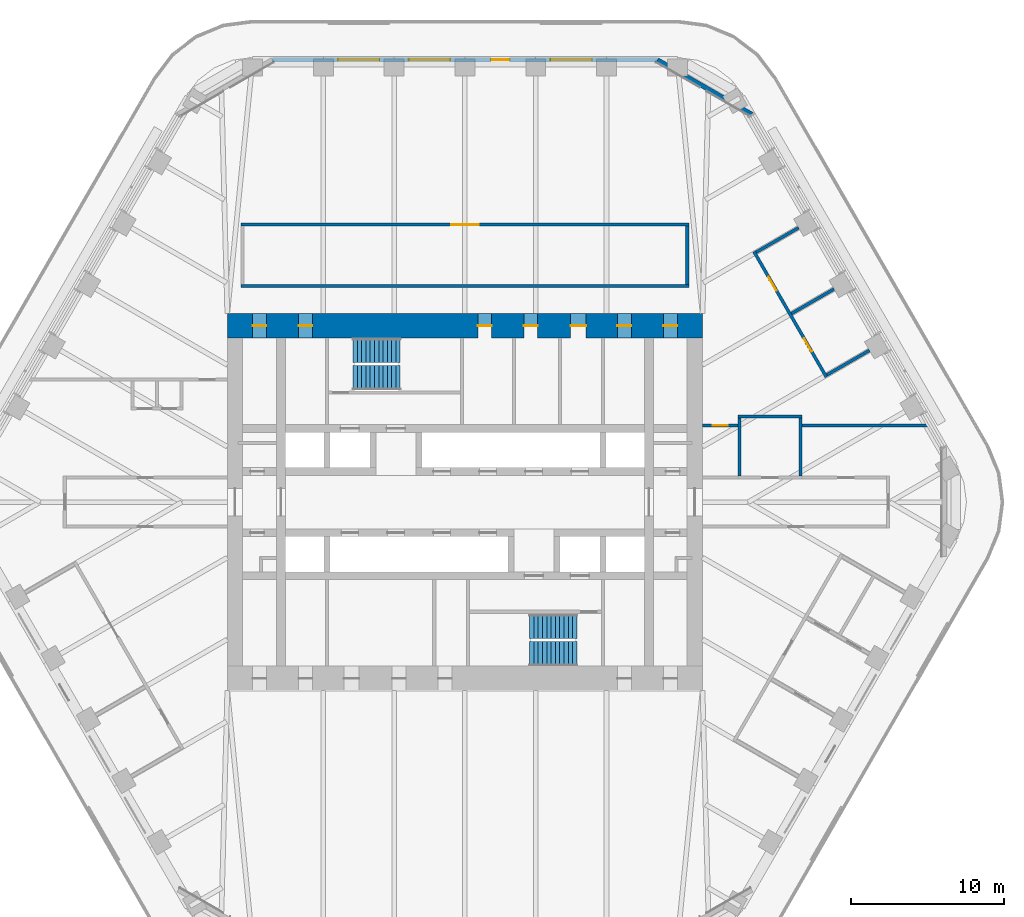
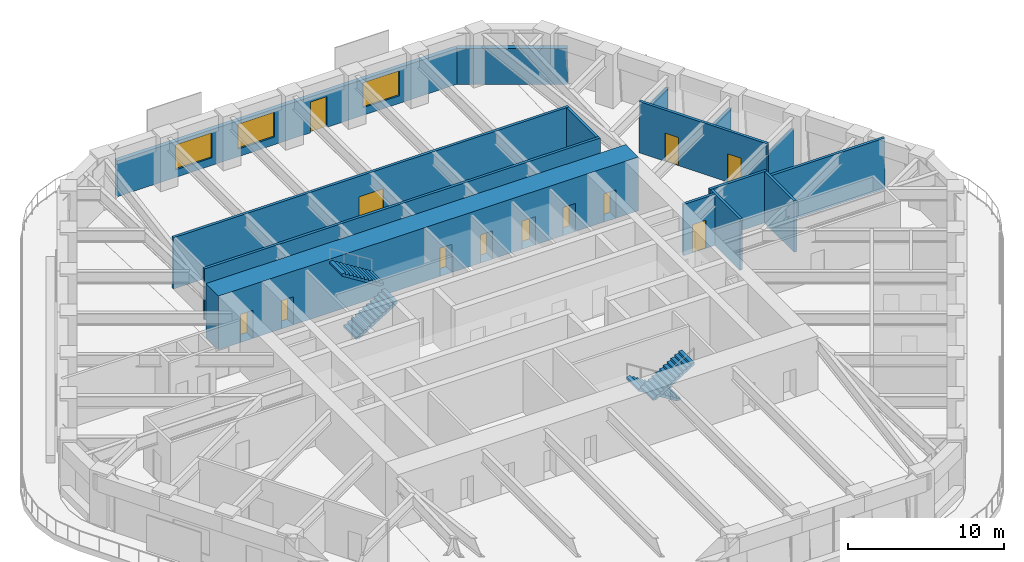
# One storey, part 17 of 20: 15 walls, 12 doors, 4 stair flights, 3 windows, 15 openings, 2 elements without a shape of their own.
"""IFC4 building model written with IfcOpenShell, lengths in metres."""

from ifc_helpers import new_model, si_unit, direction, frame, frame_2d, origin, place, context, subcontext, project, spatial, polyline, rectangle, outline, extrude, material, layer, layer_set, type_object, element, fill, aggregate, save


model = new_model("IFC4")

# Units and contexts
model_context = context("Model", 3, precision=1e-05, world=origin(), true_north=direction((0.0, 1.0)))
body_context = subcontext(model_context, "Body", "Model", "MODEL_VIEW")
ifc_project = project(units=[si_unit("LENGTHUNIT", "METRE"), si_unit("AREAUNIT", "SQUARE_METRE"), si_unit("VOLUMEUNIT", "CUBIC_METRE"), si_unit("PLANEANGLEUNIT", "RADIAN"), si_unit("MASSUNIT", "GRAM", prefix="KILO")], contexts=[model_context])

# Site, building, storey
site_placement = place(None, origin())
site = spatial("IfcSite", under=ifc_project, at=site_placement, CompositionType="ELEMENT")
building_placement = place(site_placement, origin())
building = spatial("IfcBuilding", under=site, at=building_placement, Name="Tarfa Lantern Tower", CompositionType="ELEMENT")
storey_placement = place(building_placement, frame((0.0, 0.0, 249.10009765625)))
storey = spatial("IfcBuildingStorey", under=building, at=storey_placement, Name="L56", CompositionType="ELEMENT", Elevation=249.10009765625)

# Wall
ifc_material_1 = material(Name="Limestone cladding on blockwork", Category="masonry")
ifc_layer_1 = layer(ifc_material_1, 0.300048828125)
ifc_layer_set_1 = layer_set([ifc_layer_1], Name="EW1 STONE-CLAD WALL 300")
wall_type_1 = type_object("IfcWallType", Name="EW1 STONE-CLAD WALL 300", PredefinedType="SOLIDWALL", material=ifc_layer_set_1)
wall_1_placement = place(storey_placement, frame((18.70654296875, 25.299072265625, 0.0), z_axis=(0.0, 0.0, 1.0), x_axis=(-0.866010973379, 0.500024993363, 0.0)))
element("IfcWall", 1, at=wall_1_placement, inside=storey, type_object=wall_type_1, Name="Garden wall NE-N", PredefinedType="SOLIDWALL", context=body_context, shape_type="SweptSolid", body=[
    extrude(rectangle(XDim=7.101806640625, YDim=0.300048828125, at=frame_2d((3.55078125, 0.0))), origin(), (0.0, 0.0, 1.0), 2.7998046875),
])

# Wall, openings, door, windows
wall_2_placement = place(storey_placement, frame((12.556396484375, 28.85009765625, 0.0), z_axis=(0.0, 0.0, 1.0), x_axis=(-1.0, 0.0, 0.0)))
wall_2 = element("IfcWall", 2, at=wall_2_placement, inside=storey, type_object=wall_type_1, Name="Stone wall N", PredefinedType="SOLIDWALL", context=body_context, shape_type="SweptSolid", body=[
    extrude(rectangle(XDim=25.11279296875, YDim=0.300048828125, at=frame_2d((12.556396484375, 0.0))), origin(), (0.0, 0.0, 1.0), 2.7998046875),
])
opening_1_placement = place(wall_2_placement, frame((4.2783203125, 0.0, 0.60009765625)))
opening_1 = element("IfcOpeningElement", 3, at=opening_1_placement, cuts=wall_2, Name="Opening W14", PredefinedType="OPENING", context=body_context, shape_type="SweptSolid", body=[
    extrude(rectangle(XDim=2.699951171875, YDim=1.949951171875, at=frame_2d((1.35009765625, 0.97509765625))), frame((0.0, 0.159912109375, 0.0), z_axis=(0.0, -1.0, 0.0), x_axis=(1.0, 0.0, 0.0)), (0.0, 0.0, 1.0), 0.320068359375),
])
opening_2_placement = place(wall_2_placement, frame((9.64697265625, 0.0, 0.0)))
opening_2 = element("IfcOpeningElement", 4, at=opening_2_placement, cuts=wall_2, Name="Opening D47", PredefinedType="OPENING", context=body_context, shape_type="SweptSolid", body=[
    extrude(rectangle(XDim=1.199951171875, YDim=2.39990234375, at=frame_2d((0.60009765625, 1.199951171875))), frame((0.0, 0.159912109375, 0.0), z_axis=(0.0, -1.0, 0.0), x_axis=(1.0, 0.0, 0.0)), (0.0, 0.0, 1.0), 0.320068359375),
])
opening_3_placement = place(wall_2_placement, frame((13.515869140625, 0.0, 0.60009765625)))
opening_3 = element("IfcOpeningElement", 5, at=opening_3_placement, cuts=wall_2, Name="Opening W14", PredefinedType="OPENING", context=body_context, shape_type="SweptSolid", body=[
    extrude(rectangle(XDim=2.699951171875, YDim=1.949951171875, at=frame_2d((1.35009765625, 0.97509765625))), frame((0.0, 0.159912109375, 0.0), z_axis=(0.0, -1.0, 0.0), x_axis=(1.0, 0.0, 0.0)), (0.0, 0.0, 1.0), 0.320068359375),
])
opening_4_placement = place(wall_2_placement, frame((18.134521484375, 0.0, 0.60009765625)))
opening_4 = element("IfcOpeningElement", 6, at=opening_4_placement, cuts=wall_2, Name="Opening W14", PredefinedType="OPENING", context=body_context, shape_type="SweptSolid", body=[
    extrude(rectangle(XDim=2.699951171875, YDim=1.949951171875, at=frame_2d((1.35009765625, 0.97509765625))), frame((0.0, 0.159912109375, 0.0), z_axis=(0.0, -1.0, 0.0), x_axis=(1.0, 0.0, 0.0)), (0.0, 0.0, 1.0), 0.320068359375),
])
ifc_material_2 = material(Name="Aluminium framed glazed door", Category="aluminium")
door_type_1 = type_object("IfcDoorType", Name="BE3 BALCONY DOOR 1200x2400", OperationType="SINGLE_SWING_RIGHT", PredefinedType="DOOR", material=ifc_material_2)
door_1_placement = place(opening_2_placement, origin())
door_1 = element("IfcDoor", 7, at=door_1_placement, inside=storey, type_object=door_type_1, Name="Balcony door N", OperationType="SINGLE_SWING_RIGHT", OverallHeight=2.39990234375, OverallWidth=1.199951171875, PredefinedType="DOOR", context=body_context, shape_type="SweptSolid", body=[
    extrude(rectangle(XDim=1.199951171875, YDim=2.39990234375, at=frame_2d((0.60009765625, 1.199951171875))), frame((0.0, 0.02490234375, 0.0), z_axis=(0.0, -1.0, 0.0), x_axis=(1.0, 0.0, 0.0)), (0.0, 0.0, 1.0), 0.050048828125),
])
fill(opening_2, door_1)
ifc_material_3 = material(Name="Aluminium frame, double glazed", Category="aluminium")
window_type = type_object("IfcWindowType", Name="W14 FULL-HEIGHT GLAZING 2700x1950", PartitioningType="SINGLE_PANEL", PredefinedType="WINDOW", material=ifc_material_3)
window_1_placement = place(opening_1_placement, origin())
window_1 = element("IfcWindow", 8, at=window_1_placement, inside=storey, type_object=window_type, Name="Window N 2", OverallHeight=1.949951171875, OverallWidth=2.699951171875, PartitioningType="SINGLE_PANEL", PredefinedType="WINDOW", context=body_context, shape_type="SweptSolid", body=[
    extrude(rectangle(XDim=2.699951171875, YDim=1.949951171875, at=frame_2d((1.35009765625, 0.97509765625))), frame((0.0, 0.030029296875, 0.0), z_axis=(0.0, -1.0, 0.0), x_axis=(1.0, 0.0, 0.0)), (0.0, 0.0, 1.0), 0.06005859375),
])
fill(opening_1, window_1)
window_2_placement = place(opening_3_placement, origin())
window_2 = element("IfcWindow", 9, at=window_2_placement, inside=storey, type_object=window_type, Name="Window N 4", OverallHeight=1.949951171875, OverallWidth=2.699951171875, PartitioningType="SINGLE_PANEL", PredefinedType="WINDOW", context=body_context, shape_type="SweptSolid", body=[
    extrude(rectangle(XDim=2.699951171875, YDim=1.949951171875, at=frame_2d((1.35009765625, 0.97509765625))), frame((0.0, 0.030029296875, 0.0), z_axis=(0.0, -1.0, 0.0), x_axis=(1.0, 0.0, 0.0)), (0.0, 0.0, 1.0), 0.06005859375),
])
fill(opening_3, window_2)
window_3_placement = place(opening_4_placement, origin())
window_3 = element("IfcWindow", 10, at=window_3_placement, inside=storey, type_object=window_type, Name="Window N 5", OverallHeight=1.949951171875, OverallWidth=2.699951171875, PartitioningType="SINGLE_PANEL", PredefinedType="WINDOW", context=body_context, shape_type="SweptSolid", body=[
    extrude(rectangle(XDim=2.699951171875, YDim=1.949951171875, at=frame_2d((1.35009765625, 0.97509765625))), frame((0.0, 0.030029296875, 0.0), z_axis=(0.0, -1.0, 0.0), x_axis=(1.0, 0.0, 0.0)), (0.0, 0.0, 1.0), 0.06005859375),
])
fill(opening_4, window_3)

# Wall
ifc_material_4 = material(Name="Gypsum board on steel studs", Category="steel")
ifc_layer_2 = layer(ifc_material_4, 0.2099609375)
ifc_layer_set_2 = layer_set([ifc_layer_2], Name="IW2 ACOUSTIC PARTITION 200")
wall_type_2 = type_object("IfcWallType", Name="IW2 ACOUSTIC PARTITION 200", PredefinedType="PARTITIONING", material=ifc_layer_set_2)
wall_3_placement = place(storey_placement, frame((-14.60009765625, 14.10009765625, 0.0), z_axis=(0.0, 0.0, 1.0), x_axis=(1.0, 0.0, 0.0)))
element("IfcWall", 11, at=wall_3_placement, inside=storey, type_object=wall_type_2, Name="Partition", PredefinedType="PARTITIONING", context=body_context, shape_type="SweptSolid", body=[
    extrude(rectangle(XDim=29.2001953125, YDim=0.199951171875, at=frame_2d((14.60009765625, 0.0))), origin(), (0.0, 0.0, 1.0), 4.0),
])

# Wall, opening, door
wall_4_placement = place(storey_placement, frame((-14.60009765625, 18.10009765625, 0.0), z_axis=(0.0, 0.0, 1.0), x_axis=(1.0, 0.0, 0.0)))
wall_4 = element("IfcWall", 12, at=wall_4_placement, inside=storey, type_object=wall_type_2, Name="Partition", PredefinedType="PARTITIONING", context=body_context, shape_type="SweptSolid", body=[
    extrude(rectangle(XDim=29.2001953125, YDim=0.199951171875, at=frame_2d((14.60009765625, 0.0))), origin(), (0.0, 0.0, 1.0), 4.0),
])
opening_5_placement = place(wall_4_placement, frame((13.699951171875, 0.0, 0.0)))
opening_5 = element("IfcOpeningElement", 13, at=opening_5_placement, cuts=wall_4, Name="Opening D36", PredefinedType="OPENING", context=body_context, shape_type="SweptSolid", body=[
    extrude(rectangle(XDim=1.800048828125, YDim=2.39990234375, at=frame_2d((0.89990234375, 1.199951171875))), frame((0.0, 0.10986328125, 0.0), z_axis=(0.0, -1.0, 0.0), x_axis=(1.0, 0.0, 0.0)), (0.0, 0.0, 1.0), 0.219970703125),
])
ifc_material_5 = material(Name="Timber door", Category="wood")
door_type_2 = type_object("IfcDoorType", Name="DR2 ROOM DOOR 1800x2400", OperationType="DOUBLE_DOOR_SINGLE_SWING", PredefinedType="DOOR", material=ifc_material_5)
door_2_placement = place(opening_5_placement, frame((1.800048828125, 0.0, 0.0), z_axis=(0.0, 0.0, 1.0), x_axis=(-1.0, 0.0, 0.0)))
door_2 = element("IfcDoor", 14, at=door_2_placement, inside=storey, type_object=door_type_2, Name="Board papers room door", OperationType="DOUBLE_DOOR_SINGLE_SWING", OverallHeight=2.39990234375, OverallWidth=1.800048828125, PredefinedType="DOOR", context=body_context, shape_type="SweptSolid", body=[
    extrude(rectangle(XDim=1.800048828125, YDim=2.39990234375, at=frame_2d((0.89990234375, 1.199951171875))), frame((0.0, 0.02490234375, 0.0), z_axis=(0.0, -1.0, 0.0), x_axis=(1.0, 0.0, 0.0)), (0.0, 0.0, 1.0), 0.050048828125),
])
fill(opening_5, door_2)

# Wall
wall_5_placement = place(storey_placement, frame((14.5, 14.199951171875, 0.0), z_axis=(0.0, 0.0, 1.0), x_axis=(0.0, 1.0, 0.0)))
element("IfcWall", 15, at=wall_5_placement, inside=storey, type_object=wall_type_2, Name="Partition", PredefinedType="PARTITIONING", context=body_context, shape_type="SweptSolid", body=[
    extrude(rectangle(XDim=3.800048828125, YDim=0.199951171875, at=frame_2d((1.89990234375, 0.0))), origin(), (0.0, 0.0, 1.0), 4.0),
])

# Wall, openings, doors
wall_6_placement = place(storey_placement, frame((23.576904296875, 8.163330078125, 0.0), z_axis=(0.0, 0.0, 1.0), x_axis=(-0.499989672313, 0.866031366395, 0.0)))
wall_6 = element("IfcWall", 16, at=wall_6_placement, inside=storey, type_object=wall_type_2, Name="Partition", PredefinedType="PARTITIONING", context=body_context, shape_type="SweptSolid", body=[
    extrude(rectangle(XDim=9.437744140625, YDim=0.199951171875, at=frame_2d((4.71875, 0.0))), origin(), (0.0, 0.0, 1.0), 4.0),
])
opening_6_placement = place(wall_6_placement, frame((1.909423828125, 0.0, 0.0)))
opening_6 = element("IfcOpeningElement", 17, at=opening_6_placement, cuts=wall_6, Name="Opening D28", PredefinedType="OPENING", context=body_context, shape_type="SweptSolid", body=[
    extrude(rectangle(XDim=1.0, YDim=2.199951171875, at=frame_2d((0.5, 1.10009765625))), frame((0.0, 0.10986328125, 0.0), z_axis=(0.0, -1.0, 0.0), x_axis=(1.0, 0.0, 0.0)), (0.0, 0.0, 1.0), 0.219970703125),
])
opening_7_placement = place(wall_6_placement, frame((6.5283203125, 0.0, 0.0)))
opening_7 = element("IfcOpeningElement", 18, at=opening_7_placement, cuts=wall_6, Name="Opening D29", PredefinedType="OPENING", context=body_context, shape_type="SweptSolid", body=[
    extrude(rectangle(XDim=1.0, YDim=2.199951171875, at=frame_2d((0.5, 1.10009765625))), frame((0.0, 0.10986328125, 0.0), z_axis=(0.0, -1.0, 0.0), x_axis=(1.0, 0.0, 0.0)), (0.0, 0.0, 1.0), 0.219970703125),
])
door_type_3 = type_object("IfcDoorType", Name="DR1 ROOM DOOR 1000x2200", OperationType="SINGLE_SWING_LEFT", PredefinedType="DOOR", material=ifc_material_5)
door_3_placement = place(opening_6_placement, frame((1.0, 0.0, 0.0), z_axis=(0.0, 0.0, 1.0), x_axis=(-1.0, 0.0, 0.0)))
door_3 = element("IfcDoor", 19, at=door_3_placement, inside=storey, type_object=door_type_3, Name="Office door", OperationType="SINGLE_SWING_LEFT", OverallHeight=2.199951171875, OverallWidth=1.0, PredefinedType="DOOR", context=body_context, shape_type="SweptSolid", body=[
    extrude(rectangle(XDim=1.0, YDim=2.199951171875, at=frame_2d((0.5, 1.10009765625))), frame((0.0, 0.02490234375, 0.0), z_axis=(0.0, -1.0, 0.0), x_axis=(1.0, 0.0, 0.0)), (0.0, 0.0, 1.0), 0.050048828125),
])
fill(opening_6, door_3)
door_4_placement = place(opening_7_placement, frame((1.0, 0.0, 0.0), z_axis=(0.0, 0.0, 1.0), x_axis=(-1.0, 0.0, 0.0)))
door_4 = element("IfcDoor", 20, at=door_4_placement, inside=storey, type_object=door_type_3, Name="Office door", OperationType="SINGLE_SWING_RIGHT", OverallHeight=2.199951171875, OverallWidth=1.0, PredefinedType="DOOR", context=body_context, shape_type="SweptSolid", body=[
    extrude(rectangle(XDim=1.0, YDim=2.199951171875, at=frame_2d((0.5, 1.10009765625))), frame((0.0, 0.02490234375, 0.0), z_axis=(0.0, -1.0, 0.0), x_axis=(1.0, 0.0, 0.0)), (0.0, 0.0, 1.0), 0.050048828125),
])
fill(opening_7, door_4)

# Walls
wall_7_placement = place(storey_placement, frame((23.613525390625, 8.300048828125, 0.0), z_axis=(0.0, 0.0, 1.0), x_axis=(0.866061088033, 0.499938187974, 0.0)))
element("IfcWall", 21, at=wall_7_placement, inside=storey, type_object=wall_type_2, Name="Partition", PredefinedType="PARTITIONING", context=body_context, shape_type="SweptSolid", body=[
    extrude(rectangle(XDim=3.2001953125, YDim=0.199951171875, at=frame_2d((1.60009765625, 0.0))), origin(), (0.0, 0.0, 1.0), 3.08154296875),
])
for number, where, z_axis, x_axis, name in (
    (22, (21.30419921875, 12.300048828125, 0.0), (0.0, 0.0, 1.0), (0.866042017984, 0.499971222258, 0.0), "Partition"),
    (23, (18.994873046875, 16.300048828125, 0.0), (0.0, 0.0, 1.0), (0.866042017984, 0.499971222258, 0.0), "Partition"),
):
    element("IfcWall", number, at=place(storey_placement, frame(where, z_axis=z_axis, x_axis=x_axis)), inside=storey, type_object=wall_type_2, Name=name, PredefinedType="PARTITIONING", context=body_context, shape_type="SweptSolid", body=[
        extrude(rectangle(XDim=3.199951171875, YDim=0.199951171875, at=frame_2d((1.60009765625, 0.0))), origin(), (0.0, 0.0, 1.0), 3.08154296875),
    ])
wall_8_placement = place(storey_placement, frame((17.800048828125, 5.60009765625, 0.0), z_axis=(0.0, 0.0, 1.0), x_axis=(1.0, 0.0, 0.0)))
element("IfcWall", 24, at=wall_8_placement, inside=storey, type_object=wall_type_2, Name="Partition", PredefinedType="PARTITIONING", context=body_context, shape_type="SweptSolid", body=[
    extrude(rectangle(XDim=4.199951171875, YDim=0.199951171875, at=frame_2d((2.10009765625, 0.0))), origin(), (0.0, 0.0, 1.0), 4.0),
])
for number, where, z_axis, x_axis, name in (
    (25, (17.89990234375, 1.699951171875, 0.0), (0.0, 0.0, 1.0), (0.0, 1.0, 0.0), "Partition"),
    (26, (21.89990234375, 1.699951171875, 0.0), (0.0, 0.0, 1.0), (0.0, 1.0, 0.0), "Partition"),
):
    element("IfcWall", number, at=place(storey_placement, frame(where, z_axis=z_axis, x_axis=x_axis)), inside=storey, type_object=wall_type_2, Name=name, PredefinedType="PARTITIONING", context=body_context, shape_type="SweptSolid", body=[
        extrude(rectangle(XDim=3.800048828125, YDim=0.199951171875, at=frame_2d((1.89990234375, 0.0))), origin(), (0.0, 0.0, 1.0), 4.0),
    ])

# Wall, opening, door
wall_9_placement = place(storey_placement, frame((15.5, 5.0, 0.0), z_axis=(0.0, 0.0, 1.0), x_axis=(1.0, 0.0, 0.0)))
wall_9 = element("IfcWall", 27, at=wall_9_placement, inside=storey, type_object=wall_type_2, Name="Partition", PredefinedType="PARTITIONING", context=body_context, shape_type="SweptSolid", body=[
    extrude(rectangle(XDim=2.300048828125, YDim=0.199951171875, at=frame_2d((1.14990234375, 0.0))), origin(), (0.0, 0.0, 1.0), 4.0),
])
opening_8_placement = place(wall_9_placement, frame((0.64990234375, 0.0, 0.0)))
opening_8 = element("IfcOpeningElement", 28, at=opening_8_placement, cuts=wall_9, Name="Opening D45", PredefinedType="OPENING", context=body_context, shape_type="SweptSolid", body=[
    extrude(rectangle(XDim=1.0, YDim=2.199951171875, at=frame_2d((0.5, 1.10009765625))), frame((0.0, 0.10986328125, 0.0), z_axis=(0.0, -1.0, 0.0), x_axis=(1.0, 0.0, 0.0)), (0.0, 0.0, 1.0), 0.219970703125),
])
door_5_placement = place(opening_8_placement, frame((1.0, 0.0, 0.0), z_axis=(0.0, 0.0, 1.0), x_axis=(-1.0, 0.0, 0.0)))
door_5 = element("IfcDoor", 29, at=door_5_placement, inside=storey, type_object=door_type_3, Name="Zone door", OperationType="SINGLE_SWING_RIGHT", OverallHeight=2.199951171875, OverallWidth=1.0, PredefinedType="DOOR", context=body_context, shape_type="SweptSolid", body=[
    extrude(rectangle(XDim=1.0, YDim=2.199951171875, at=frame_2d((0.5, 1.10009765625))), frame((0.0, 0.02490234375, 0.0), z_axis=(0.0, -1.0, 0.0), x_axis=(1.0, 0.0, 0.0)), (0.0, 0.0, 1.0), 0.050048828125),
])
fill(opening_8, door_5)

# Wall
wall_10_placement = place(storey_placement, frame((22.0, 5.0, 0.0), z_axis=(0.0, 0.0, 1.0), x_axis=(1.0, 0.0, 0.0)))
element("IfcWall", 30, at=wall_10_placement, inside=storey, type_object=wall_type_2, Name="Partition", PredefinedType="PARTITIONING", context=body_context, shape_type="SweptSolid", body=[
    extrude(rectangle(XDim=8.345458984375, YDim=0.199951171875, at=frame_2d((4.1728515625, 0.0))), origin(), (0.0, 0.0, 1.0), 4.0),
])

# Wall, openings, doors
ifc_material_6 = material(Name="Concrete C80/95", Category="concrete")
ifc_layer_3 = layer(ifc_material_6, 1.60009765625)
ifc_layer_set_3 = layer_set([ifc_layer_3], Name="SW7 CORE WALL 1600")
wall_type_3 = type_object("IfcWallType", Name="SW7 CORE WALL 1600", PredefinedType="SHEAR", material=ifc_layer_set_3)
wall_11_placement = place(storey_placement, frame((-15.5, 11.5, 0.0), z_axis=(0.0, 0.0, 1.0), x_axis=(1.0, 0.0, 0.0)))
wall_11 = element("IfcWall", 31, at=wall_11_placement, inside=storey, type_object=wall_type_3, Name="Core wall N", PredefinedType="SHEAR", context=body_context, shape_type="SweptSolid", body=[
    extrude(rectangle(XDim=31.0, YDim=1.60009765625, at=frame_2d((15.5, 0.0))), origin(), (0.0, 0.0, 1.0), 4.199951171875),
])
opening_9_placement = place(wall_11_placement, frame((16.35009765625, 0.0, 0.0)))
opening_9 = element("IfcOpeningElement", 32, at=opening_9_placement, cuts=wall_11, Name="Opening D17", PredefinedType="OPENING", context=body_context, shape_type="SweptSolid", body=[
    extrude(rectangle(XDim=0.89990234375, YDim=2.199951171875, at=frame_2d((0.449951171875, 1.10009765625))), frame((0.0, 0.81005859375, 0.0), z_axis=(0.0, -1.0, 0.0), x_axis=(1.0, 0.0, 0.0)), (0.0, 0.0, 1.0), 1.6201171875),
])
opening_10_placement = place(wall_11_placement, frame((19.35009765625, 0.0, 0.0)))
opening_10 = element("IfcOpeningElement", 33, at=opening_10_placement, cuts=wall_11, Name="Opening D19", PredefinedType="OPENING", context=body_context, shape_type="SweptSolid", body=[
    extrude(rectangle(XDim=0.89990234375, YDim=2.199951171875, at=frame_2d((0.449951171875, 1.10009765625))), frame((0.0, 0.81005859375, 0.0), z_axis=(0.0, -1.0, 0.0), x_axis=(1.0, 0.0, 0.0)), (0.0, 0.0, 1.0), 1.6201171875),
])
opening_11_placement = place(wall_11_placement, frame((22.39990234375, 0.0, 0.0)))
opening_11 = element("IfcOpeningElement", 34, at=opening_11_placement, cuts=wall_11, Name="Opening D21", PredefinedType="OPENING", context=body_context, shape_type="SweptSolid", body=[
    extrude(rectangle(XDim=1.0, YDim=2.199951171875, at=frame_2d((0.5, 1.10009765625))), frame((0.0, 0.81005859375, 0.0), z_axis=(0.0, -1.0, 0.0), x_axis=(1.0, 0.0, 0.0)), (0.0, 0.0, 1.0), 1.6201171875),
])
opening_12_placement = place(wall_11_placement, frame((1.64990234375, 0.0, 0.0)))
opening_12 = element("IfcOpeningElement", 35, at=opening_12_placement, cuts=wall_11, Name="Opening D07", PredefinedType="OPENING", context=body_context, shape_type="SweptSolid", body=[
    extrude(rectangle(XDim=0.89990234375, YDim=2.199951171875, at=frame_2d((0.449951171875, 1.10009765625))), frame((0.0, 0.81005859375, 0.0), z_axis=(0.0, -1.0, 0.0), x_axis=(1.0, 0.0, 0.0)), (0.0, 0.0, 1.0), 1.6201171875),
])
opening_13_placement = place(wall_11_placement, frame((4.64990234375, 0.0, 0.0)))
opening_13 = element("IfcOpeningElement", 36, at=opening_13_placement, cuts=wall_11, Name="Opening D05", PredefinedType="OPENING", context=body_context, shape_type="SweptSolid", body=[
    extrude(rectangle(XDim=0.89990234375, YDim=2.199951171875, at=frame_2d((0.449951171875, 1.10009765625))), frame((0.0, 0.81005859375, 0.0), z_axis=(0.0, -1.0, 0.0), x_axis=(1.0, 0.0, 0.0)), (0.0, 0.0, 1.0), 1.6201171875),
])
opening_14_placement = place(wall_11_placement, frame((25.449951171875, 0.0, 0.0)))
opening_14 = element("IfcOpeningElement", 37, at=opening_14_placement, cuts=wall_11, Name="Opening D03", PredefinedType="OPENING", context=body_context, shape_type="SweptSolid", body=[
    extrude(rectangle(XDim=0.89990234375, YDim=2.199951171875, at=frame_2d((0.449951171875, 1.10009765625))), frame((0.0, 0.81005859375, 0.0), z_axis=(0.0, -1.0, 0.0), x_axis=(1.0, 0.0, 0.0)), (0.0, 0.0, 1.0), 1.6201171875),
])
opening_15_placement = place(wall_11_placement, frame((28.449951171875, 0.0, 0.0)))
opening_15 = element("IfcOpeningElement", 38, at=opening_15_placement, cuts=wall_11, Name="Opening D01", PredefinedType="OPENING", context=body_context, shape_type="SweptSolid", body=[
    extrude(rectangle(XDim=0.89990234375, YDim=2.199951171875, at=frame_2d((0.449951171875, 1.10009765625))), frame((0.0, 0.81005859375, 0.0), z_axis=(0.0, -1.0, 0.0), x_axis=(1.0, 0.0, 0.0)), (0.0, 0.0, 1.0), 1.6201171875),
])
ifc_material_7 = material(Name="Steel fire door", Category="steel")
door_type_4 = type_object("IfcDoorType", Name="DF3 CORE ROOM DOOR 900x2200", OperationType="SINGLE_SWING_LEFT", PredefinedType="DOOR", material=ifc_material_7)
door_6_placement = place(opening_9_placement, frame((0.89990234375, 0.0, 0.0), z_axis=(0.0, 0.0, 1.0), x_axis=(-1.0, 0.0, 0.0)))
door_6 = element("IfcDoor", 39, at=door_6_placement, inside=storey, type_object=door_type_4, Name="Core door", OperationType="SINGLE_SWING_LEFT", OverallHeight=2.199951171875, OverallWidth=0.89990234375, PredefinedType="DOOR", context=body_context, shape_type="SweptSolid", body=[
    extrude(rectangle(XDim=0.89990234375, YDim=2.199951171875, at=frame_2d((0.449951171875, 1.10009765625))), frame((0.0, 0.02490234375, 0.0), z_axis=(0.0, -1.0, 0.0), x_axis=(1.0, 0.0, 0.0)), (0.0, 0.0, 1.0), 0.050048828125),
])
fill(opening_9, door_6)
door_7_placement = place(opening_10_placement, frame((0.89990234375, 0.0, 0.0), z_axis=(0.0, 0.0, 1.0), x_axis=(-1.0, 0.0, 0.0)))
door_7 = element("IfcDoor", 40, at=door_7_placement, inside=storey, type_object=door_type_4, Name="Core door", OperationType="SINGLE_SWING_LEFT", OverallHeight=2.199951171875, OverallWidth=0.89990234375, PredefinedType="DOOR", context=body_context, shape_type="SweptSolid", body=[
    extrude(rectangle(XDim=0.89990234375, YDim=2.199951171875, at=frame_2d((0.449951171875, 1.10009765625))), frame((0.0, 0.02490234375, 0.0), z_axis=(0.0, -1.0, 0.0), x_axis=(1.0, 0.0, 0.0)), (0.0, 0.0, 1.0), 0.050048828125),
])
fill(opening_10, door_7)
door_type_5 = type_object("IfcDoorType", Name="DF4 CORE ROOM DOOR 1000x2200", OperationType="SINGLE_SWING_LEFT", PredefinedType="DOOR", material=ifc_material_7)
door_8_placement = place(opening_11_placement, frame((1.0, 0.0, 0.0), z_axis=(0.0, 0.0, 1.0), x_axis=(-1.0, 0.0, 0.0)))
door_8 = element("IfcDoor", 41, at=door_8_placement, inside=storey, type_object=door_type_5, Name="Core door", OperationType="SINGLE_SWING_LEFT", OverallHeight=2.199951171875, OverallWidth=1.0, PredefinedType="DOOR", context=body_context, shape_type="SweptSolid", body=[
    extrude(rectangle(XDim=1.0, YDim=2.199951171875, at=frame_2d((0.5, 1.10009765625))), frame((0.0, 0.02490234375, 0.0), z_axis=(0.0, -1.0, 0.0), x_axis=(1.0, 0.0, 0.0)), (0.0, 0.0, 1.0), 0.050048828125),
])
fill(opening_11, door_8)
door_type_6 = type_object("IfcDoorType", Name="DF5 RISER DOOR 900x2200", OperationType="SINGLE_SWING_LEFT", PredefinedType="DOOR", material=ifc_material_7)
door_9_placement = place(opening_12_placement, frame((0.89990234375, 0.0, 0.0), z_axis=(0.0, 0.0, 1.0), x_axis=(-1.0, 0.0, 0.0)))
door_9 = element("IfcDoor", 42, at=door_9_placement, inside=storey, type_object=door_type_6, Name="Riser door", OperationType="SINGLE_SWING_LEFT", OverallHeight=2.199951171875, OverallWidth=0.89990234375, PredefinedType="DOOR", context=body_context, shape_type="SweptSolid", body=[
    extrude(rectangle(XDim=0.89990234375, YDim=2.199951171875, at=frame_2d((0.449951171875, 1.10009765625))), frame((0.0, 0.02490234375, 0.0), z_axis=(0.0, -1.0, 0.0), x_axis=(1.0, 0.0, 0.0)), (0.0, 0.0, 1.0), 0.050048828125),
])
fill(opening_12, door_9)
door_10_placement = place(opening_13_placement, frame((0.89990234375, 0.0, 0.0), z_axis=(0.0, 0.0, 1.0), x_axis=(-1.0, 0.0, 0.0)))
door_10 = element("IfcDoor", 43, at=door_10_placement, inside=storey, type_object=door_type_6, Name="Riser door", OperationType="SINGLE_SWING_LEFT", OverallHeight=2.199951171875, OverallWidth=0.89990234375, PredefinedType="DOOR", context=body_context, shape_type="SweptSolid", body=[
    extrude(rectangle(XDim=0.89990234375, YDim=2.199951171875, at=frame_2d((0.449951171875, 1.10009765625))), frame((0.0, 0.02490234375, 0.0), z_axis=(0.0, -1.0, 0.0), x_axis=(1.0, 0.0, 0.0)), (0.0, 0.0, 1.0), 0.050048828125),
])
fill(opening_13, door_10)
door_11_placement = place(opening_14_placement, frame((0.89990234375, 0.0, 0.0), z_axis=(0.0, 0.0, 1.0), x_axis=(-1.0, 0.0, 0.0)))
door_11 = element("IfcDoor", 44, at=door_11_placement, inside=storey, type_object=door_type_6, Name="Riser door", OperationType="SINGLE_SWING_RIGHT", OverallHeight=2.199951171875, OverallWidth=0.89990234375, PredefinedType="DOOR", context=body_context, shape_type="SweptSolid", body=[
    extrude(rectangle(XDim=0.89990234375, YDim=2.199951171875, at=frame_2d((0.449951171875, 1.10009765625))), frame((0.0, 0.02490234375, 0.0), z_axis=(0.0, -1.0, 0.0), x_axis=(1.0, 0.0, 0.0)), (0.0, 0.0, 1.0), 0.050048828125),
])
fill(opening_14, door_11)
door_12_placement = place(opening_15_placement, frame((0.89990234375, 0.0, 0.0), z_axis=(0.0, 0.0, 1.0), x_axis=(-1.0, 0.0, 0.0)))
door_12 = element("IfcDoor", 45, at=door_12_placement, inside=storey, type_object=door_type_6, Name="Riser door", OperationType="SINGLE_SWING_RIGHT", OverallHeight=2.199951171875, OverallWidth=0.89990234375, PredefinedType="DOOR", context=body_context, shape_type="SweptSolid", body=[
    extrude(rectangle(XDim=0.89990234375, YDim=2.199951171875, at=frame_2d((0.449951171875, 1.10009765625))), frame((0.0, 0.02490234375, 0.0), z_axis=(0.0, -1.0, 0.0), x_axis=(1.0, 0.0, 0.0)), (0.0, 0.0, 1.0), 0.050048828125),
])
fill(opening_15, door_12)

# Stair, stair flights
ifc_material_8 = material(Name="Concrete C40/50", Category="concrete")
stair_type = type_object("IfcStairType", Name="ST-T10 HALF-TURN STAIR 4200 RISE", PredefinedType="HALF_TURN_STAIR", material=ifc_material_8)
stair_1_placement = place(storey_placement, origin())
stair_1 = element("IfcStair", 46, at=stair_1_placement, inside=storey, type_object=stair_type, Name="Stair ST1", PredefinedType="HALF_TURN_STAIR")
stair_flight_type = type_object("IfcStairFlightType", Name="SF1 STAIR FLIGHT", PredefinedType="STRAIGHT", material=ifc_material_8)
stair_flight_1_placement = place(storey_placement, frame((-7.300048828125, 8.10009765625, 0.0), z_axis=(0.0, 0.0, 1.0), x_axis=(1.0, 0.0, 0.0)))
stair_flight_1 = element("IfcStairFlight", 47, at=stair_flight_1_placement, type_object=stair_flight_type, Name="ST1 flight 1", NumberOfRisers=12, NumberOfTreads=11, PredefinedType="STRAIGHT", RiserHeight=0.175, TreadLength=0.28, context=body_context, shape_type="SweptSolid", body=[
    extrude(outline(polyline([(0.0, 0.0), (0.0, 0.175048828125), (0.280029296875, 0.175048828125), (0.280029296875, 0.35009765625), (0.56005859375, 0.35009765625), (0.56005859375, 0.52490234375), (0.840087890625, 0.52490234375), (0.840087890625, 0.699951171875), (1.1201171875, 0.699951171875), (1.1201171875, 0.875), (1.39990234375, 0.875), (1.39990234375, 1.050048828125), (1.679931640625, 1.050048828125), (1.679931640625, 1.22509765625), (1.9599609375, 1.22509765625), (1.9599609375, 1.39990234375), (2.239990234375, 1.39990234375), (2.239990234375, 1.574951171875), (2.52001953125, 1.574951171875), (2.52001953125, 1.75), (2.800048828125, 1.75), (2.800048828125, 1.925048828125), (3.080078125, 1.925048828125), (3.080078125, 2.10009765625), (3.080078125, 1.748291015625), (0.28271484375, 0.0), (0.0, 0.0)])), frame((0.0, 0.800048828125, 0.0), z_axis=(0.0, -1.0, 0.0), x_axis=(1.0, 0.0, 0.0)), (0.0, 0.0, 1.0), 1.60009765625),
])
stair_flight_2_placement = place(storey_placement, frame((-4.219970703125, 9.89990234375, 2.099853515625), z_axis=(0.0, 0.0, 1.0), x_axis=(-1.0, 0.0, 0.0)))
stair_flight_2 = element("IfcStairFlight", 48, at=stair_flight_2_placement, type_object=stair_flight_type, Name="ST1 flight 2", NumberOfRisers=12, NumberOfTreads=11, PredefinedType="STRAIGHT", RiserHeight=0.175, TreadLength=0.28, context=body_context, shape_type="SweptSolid", body=[
    extrude(outline(polyline([(0.0, 0.0), (0.0, 0.175048828125), (0.280029296875, 0.175048828125), (0.280029296875, 0.35009765625), (0.56005859375, 0.35009765625), (0.56005859375, 0.52490234375), (0.840087890625, 0.52490234375), (0.840087890625, 0.699951171875), (1.1201171875, 0.699951171875), (1.1201171875, 0.875), (1.39990234375, 0.875), (1.39990234375, 1.050048828125), (1.679931640625, 1.050048828125), (1.679931640625, 1.22509765625), (1.9599609375, 1.22509765625), (1.9599609375, 1.39990234375), (2.239990234375, 1.39990234375), (2.239990234375, 1.574951171875), (2.52001953125, 1.574951171875), (2.52001953125, 1.75), (2.800048828125, 1.75), (2.800048828125, 1.925048828125), (3.080078125, 1.925048828125), (3.080078125, 2.10009765625), (3.080078125, 1.748291015625), (0.28271484375, 0.0), (0.0, 0.0)])), frame((0.0, 0.800048828125, 0.0), z_axis=(0.0, -1.0, 0.0), x_axis=(1.0, 0.0, 0.0)), (0.0, 0.0, 1.0), 1.60009765625),
])
aggregate(stair_1, [stair_flight_1, stair_flight_2])

stair_2_placement = place(storey_placement, origin())
stair_2 = element("IfcStair", 49, at=stair_2_placement, inside=storey, type_object=stair_type, Name="Stair ST2", PredefinedType="HALF_TURN_STAIR")
stair_flight_3_placement = place(storey_placement, frame((7.300048828125, -8.10009765625, 0.0), z_axis=(0.0, 0.0, 1.0), x_axis=(-1.0, 0.0, 0.0)))
stair_flight_3 = element("IfcStairFlight", 50, at=stair_flight_3_placement, type_object=stair_flight_type, Name="ST2 flight 1", NumberOfRisers=12, NumberOfTreads=11, PredefinedType="STRAIGHT", RiserHeight=0.175, TreadLength=0.28, context=body_context, shape_type="SweptSolid", body=[
    extrude(outline(polyline([(0.0, 0.0), (0.0, 0.175048828125), (0.280029296875, 0.175048828125), (0.280029296875, 0.35009765625), (0.56005859375, 0.35009765625), (0.56005859375, 0.52490234375), (0.840087890625, 0.52490234375), (0.840087890625, 0.699951171875), (1.1201171875, 0.699951171875), (1.1201171875, 0.875), (1.39990234375, 0.875), (1.39990234375, 1.050048828125), (1.679931640625, 1.050048828125), (1.679931640625, 1.22509765625), (1.9599609375, 1.22509765625), (1.9599609375, 1.39990234375), (2.239990234375, 1.39990234375), (2.239990234375, 1.574951171875), (2.52001953125, 1.574951171875), (2.52001953125, 1.75), (2.800048828125, 1.75), (2.800048828125, 1.925048828125), (3.080078125, 1.925048828125), (3.080078125, 2.10009765625), (3.080078125, 1.748291015625), (0.28271484375, 0.0), (0.0, 0.0)])), frame((0.0, 0.800048828125, 0.0), z_axis=(0.0, -1.0, 0.0), x_axis=(1.0, 0.0, 0.0)), (0.0, 0.0, 1.0), 1.60009765625),
])
stair_flight_4_placement = place(storey_placement, frame((4.219970703125, -9.89990234375, 2.099853515625), z_axis=(0.0, 0.0, 1.0), x_axis=(1.0, 0.0, 0.0)))
stair_flight_4 = element("IfcStairFlight", 51, at=stair_flight_4_placement, type_object=stair_flight_type, Name="ST2 flight 2", NumberOfRisers=12, NumberOfTreads=11, PredefinedType="STRAIGHT", RiserHeight=0.175, TreadLength=0.28, context=body_context, shape_type="SweptSolid", body=[
    extrude(outline(polyline([(0.0, 0.0), (0.0, 0.175048828125), (0.280029296875, 0.175048828125), (0.280029296875, 0.35009765625), (0.56005859375, 0.35009765625), (0.56005859375, 0.52490234375), (0.840087890625, 0.52490234375), (0.840087890625, 0.699951171875), (1.1201171875, 0.699951171875), (1.1201171875, 0.875), (1.39990234375, 0.875), (1.39990234375, 1.050048828125), (1.679931640625, 1.050048828125), (1.679931640625, 1.22509765625), (1.9599609375, 1.22509765625), (1.9599609375, 1.39990234375), (2.239990234375, 1.39990234375), (2.239990234375, 1.574951171875), (2.52001953125, 1.574951171875), (2.52001953125, 1.75), (2.800048828125, 1.75), (2.800048828125, 1.925048828125), (3.080078125, 1.925048828125), (3.080078125, 2.10009765625), (3.080078125, 1.748291015625), (0.28271484375, 0.0), (0.0, 0.0)])), frame((0.0, 0.800048828125, 0.0), z_axis=(0.0, -1.0, 0.0), x_axis=(1.0, 0.0, 0.0)), (0.0, 0.0, 1.0), 1.60009765625),
])
aggregate(stair_2, [stair_flight_3, stair_flight_4])

save(model, "model.ifc")
